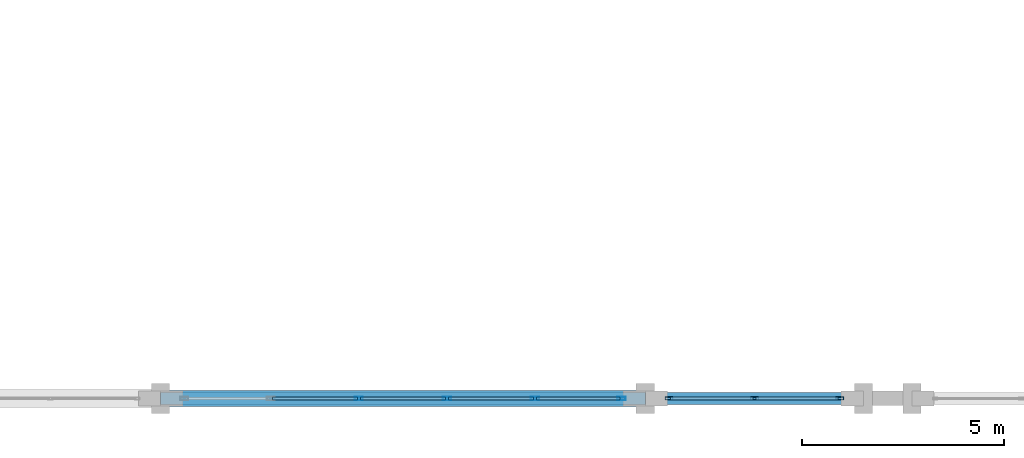
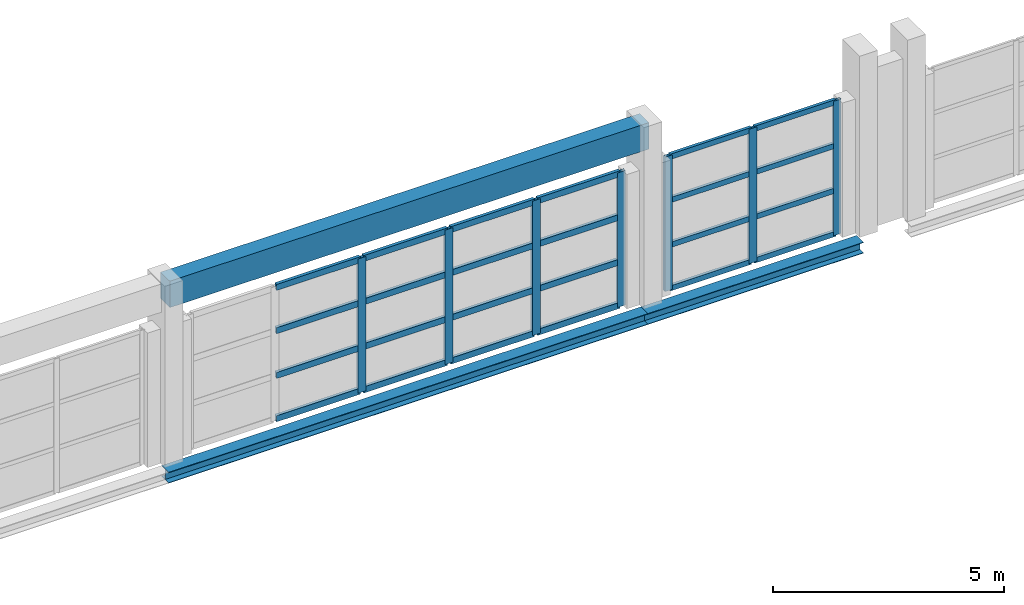
# One storey, part 49 of 147: 31 members, 3 beams, 2 elements without a shape of their own.
"""IFC4 building model written with IfcOpenShell, lengths in metres."""

from ifc_helpers import new_model, si_unit, direction, frame, origin, origin_2d, place, context, subcontext, project, spatial, rectangle, hollow_rectangle, i_section, extrude, material, layer, layer_set, material_profile, profile_set, type_object, element, aggregate, save


model = new_model("IFC4")

# Units and contexts
model_context = context("Model", 3, precision=1e-05, world=origin(), true_north=direction((0.0, 1.0)))
body_context = subcontext(model_context, "Body", "Model", "MODEL_VIEW")
ifc_project = project(units=[si_unit("LENGTHUNIT", "METRE"), si_unit("AREAUNIT", "SQUARE_METRE"), si_unit("VOLUMEUNIT", "CUBIC_METRE"), si_unit("PLANEANGLEUNIT", "RADIAN"), si_unit("MASSUNIT", "GRAM", prefix="KILO")], contexts=[model_context])

# Site, building, storey
site_placement = place(None, origin())
site = spatial("IfcSite", under=ifc_project, at=site_placement, CompositionType="ELEMENT")
building_placement = place(site_placement, origin())
building = spatial("IfcBuilding", under=site, at=building_placement, Name="Zilviju Railside Exhibition Hall", CompositionType="ELEMENT")
storey_placement = place(building_placement, frame((0.0, 0.0, 8.39990234375)))
storey = spatial("IfcBuildingStorey", under=building, at=storey_placement, Name="L03", CompositionType="ELEMENT", Elevation=8.39990234375)

# Beams
ifc_material_1 = material(Name="Steel S355J2", Category="steel")
ifc_material_profile_1 = material_profile(ifc_material_1, i_section(OverallWidth=0.300048828125, OverallDepth=0.2900390625, WebThickness=0.008544921875, FlangeThickness=0.013916015625, at=origin_2d()), Name="HEA 300")
ifc_profile_set_1 = profile_set([ifc_material_profile_1], Name="Steel S355J2")
beam_type_1 = type_object("IfcBeamType", Name="BM-HEA300", PredefinedType="SPANDREL", material=ifc_profile_set_1)
beam_1_placement = place(storey_placement, frame((108.0, 0.0, -0.48486328125), z_axis=(1.0, 0.0, 0.0), x_axis=(0.0, 1.0, 0.0)))
element("IfcBeam", 1, at=beam_1_placement, inside=storey, type_object=beam_type_1, Name="Primary Girder L03 Y=0.0 (108.0..120.0)", PredefinedType="SPANDREL", context=body_context, shape_type="SweptSolid", body=[
    extrude(i_section(OverallWidth=0.300048828125, OverallDepth=0.2900390625, WebThickness=0.008544921875, FlangeThickness=0.013916015625, at=origin_2d()), origin(), (0.0, 0.0, 1.0), 12.0),
])
beam_2_placement = place(storey_placement, frame((120.0, 0.0, -0.48486328125), z_axis=(1.0, 0.0, 0.0), x_axis=(0.0, 1.0, 0.0)))
element("IfcBeam", 2, at=beam_2_placement, inside=storey, type_object=beam_type_1, Name="Primary Girder L03 Y=0.0 (120.0..125.4)", PredefinedType="SPANDREL", context=body_context, shape_type="SweptSolid", body=[
    extrude(i_section(OverallWidth=0.300048828125, OverallDepth=0.2900390625, WebThickness=0.008544921875, FlangeThickness=0.013916015625, at=origin_2d()), origin(), (0.0, 0.0, 1.0), 5.39990234375),
])
ifc_material_2 = material(Name="Concrete C40/50", Category="concrete")
ifc_material_profile_2 = material_profile(ifc_material_2, rectangle(XDim=0.39990234375, YDim=0.699951171875, at=origin_2d()), Name="RC BEAM 400x700")
ifc_profile_set_2 = profile_set([ifc_material_profile_2], Name="Concrete C40/50")
beam_type_2 = type_object("IfcBeamType", Name="BM-RC-400x700", PredefinedType="SPANDREL", material=ifc_profile_set_2)
beam_3_placement = place(storey_placement, frame((108.0, 0.0, 4.400146484375), z_axis=(1.0, 0.0, 0.0), x_axis=(0.0, 1.0, 0.0)))
element("IfcBeam", 3, at=beam_3_placement, inside=storey, type_object=beam_type_2, Name="Eave & Portal Spandrel Lintel 005", PredefinedType="SPANDREL", context=body_context, shape_type="SweptSolid", body=[
    extrude(rectangle(XDim=0.39990234375, YDim=0.699951171875, at=origin_2d()), origin(), (0.0, 0.0, 1.0), 12.0),
])

# Curtain wall, members
ifc_material_3 = material(Name="Thermally broken aluminium-steel triple-glazed curtain wall", Category="steel")
ifc_layer_1 = layer(ifc_material_3, 0.179931640625)
ifc_layer_set_1 = layer_set([ifc_layer_1], Name="Thermally broken aluminium-steel triple-glazed curtain wall")
curtain_wall_type_1 = type_object("IfcCurtainWallType", Name="CW-BAY-15", PredefinedType="USERDEFINED", material=ifc_layer_set_1)
curtain_wall_1_placement = place(storey_placement, origin())
curtain_wall_1 = element("IfcCurtainWall", 4, at=curtain_wall_1_placement, inside=storey, type_object=curtain_wall_type_1, Name="South Hall Facade Curtain Wall L03 (120..125)", ObjectType="GLAZED CURTAIN WALL", PredefinedType="USERDEFINED")
ifc_material_4 = material(Name="Thermally broken anodized aluminium mullion", Category="aluminium")
ifc_material_profile_3 = material_profile(ifc_material_4, hollow_rectangle(XDim=0.074951171875, YDim=0.18994140625, WallThickness=0.0048828125, at=origin_2d()), Name="MULLION 190x75x5")
ifc_profile_set_3 = profile_set([ifc_material_profile_3], Name="Thermally broken anodized aluminium mullion")
member_type_1 = type_object("IfcMemberType", Name="CWM-75x190", PredefinedType="MULLION", material=ifc_profile_set_3)
member_1_placement = place(storey_placement, frame((124.8125, 0.0, 0.0), z_axis=(0.0, 0.0, 1.0), x_axis=(0.0, -1.0, 0.0)))
member_1 = element("IfcMember", 5, at=member_1_placement, type_object=member_type_1, Name="CW-15 mullion 1", PredefinedType="MULLION", context=body_context, shape_type="SweptSolid", body=[
    extrude(hollow_rectangle(XDim=0.074951171875, YDim=0.18994140625, WallThickness=0.0048828125, at=origin_2d()), origin(), (0.0, 0.0, 1.0), 3.56005859375),
])
member_2_placement = place(storey_placement, frame((122.699951171875, 0.0, 0.0), z_axis=(0.0, 0.0, 1.0), x_axis=(0.0, -1.0, 0.0)))
member_2 = element("IfcMember", 6, at=member_2_placement, type_object=member_type_1, Name="CW-15 mullion 2", PredefinedType="MULLION", context=body_context, shape_type="SweptSolid", body=[
    extrude(hollow_rectangle(XDim=0.074951171875, YDim=0.18994140625, WallThickness=0.0048828125, at=origin_2d()), origin(), (0.0, 0.0, 1.0), 3.56005859375),
])
member_3_placement = place(storey_placement, frame((120.58740234375, 0.0, 0.0), z_axis=(0.0, 0.0, 1.0), x_axis=(0.0, -1.0, 0.0)))
member_3 = element("IfcMember", 7, at=member_3_placement, type_object=member_type_1, Name="CW-15 mullion 3", PredefinedType="MULLION", context=body_context, shape_type="SweptSolid", body=[
    extrude(hollow_rectangle(XDim=0.074951171875, YDim=0.18994140625, WallThickness=0.0048828125, at=origin_2d()), origin(), (0.0, 0.0, 1.0), 3.56005859375),
])

ifc_layer_2 = layer(ifc_material_3, 0.179931640625)
ifc_layer_set_2 = layer_set([ifc_layer_2], Name="Thermally broken aluminium-steel triple-glazed curtain wall")
curtain_wall_type_2 = type_object("IfcCurtainWallType", Name="CW-BAY-14", PredefinedType="USERDEFINED", material=ifc_layer_set_2)
curtain_wall_2_placement = place(storey_placement, origin())
curtain_wall_2 = element("IfcCurtainWall", 8, at=curtain_wall_2_placement, inside=storey, type_object=curtain_wall_type_2, Name="South Hall Facade Curtain Wall L03 (108..120)", ObjectType="GLAZED CURTAIN WALL", PredefinedType="USERDEFINED")
ifc_material_profile_4 = material_profile(ifc_material_4, hollow_rectangle(XDim=0.080078125, YDim=0.199951171875, WallThickness=0.0048828125, at=origin_2d()), Name="MULLION 200x80x5")
ifc_profile_set_4 = profile_set([ifc_material_profile_4], Name="Thermally broken anodized aluminium mullion")
member_type_2 = type_object("IfcMemberType", Name="CWM-80x200", PredefinedType="MULLION", material=ifc_profile_set_4)
member_4_placement = place(storey_placement, frame((119.409912109375, 0.0, 0.0), z_axis=(0.0, 0.0, 1.0), x_axis=(0.0, -1.0, 0.0)))
member_4 = element("IfcMember", 9, at=member_4_placement, type_object=member_type_2, Name="CW-14 mullion 1", PredefinedType="MULLION", context=body_context, shape_type="SweptSolid", body=[
    extrude(hollow_rectangle(XDim=0.080078125, YDim=0.199951171875, WallThickness=0.0048828125, at=origin_2d()), origin(), (0.0, 0.0, 1.0), 3.56005859375),
])
member_5_placement = place(storey_placement, frame((117.27001953125, 0.0, 0.0), z_axis=(0.0, 0.0, 1.0), x_axis=(0.0, -1.0, 0.0)))
member_5 = element("IfcMember", 10, at=member_5_placement, type_object=member_type_2, Name="CW-14 mullion 2", PredefinedType="MULLION", context=body_context, shape_type="SweptSolid", body=[
    extrude(hollow_rectangle(XDim=0.080078125, YDim=0.199951171875, WallThickness=0.0048828125, at=origin_2d()), origin(), (0.0, 0.0, 1.0), 3.56005859375),
])
member_6_placement = place(storey_placement, frame((115.090087890625, 0.0, 0.0), z_axis=(0.0, 0.0, 1.0), x_axis=(0.0, -1.0, 0.0)))
member_6 = element("IfcMember", 11, at=member_6_placement, type_object=member_type_2, Name="CW-14 mullion 3", PredefinedType="MULLION", context=body_context, shape_type="SweptSolid", body=[
    extrude(hollow_rectangle(XDim=0.080078125, YDim=0.199951171875, WallThickness=0.0048828125, at=origin_2d()), origin(), (0.0, 0.0, 1.0), 3.56005859375),
])
member_7_placement = place(storey_placement, frame((112.909912109375, 0.0, 0.0), z_axis=(0.0, 0.0, 1.0), x_axis=(0.0, -1.0, 0.0)))
member_7 = element("IfcMember", 12, at=member_7_placement, type_object=member_type_2, Name="CW-14 mullion 4", PredefinedType="MULLION", context=body_context, shape_type="SweptSolid", body=[
    extrude(hollow_rectangle(XDim=0.080078125, YDim=0.199951171875, WallThickness=0.0048828125, at=origin_2d()), origin(), (0.0, 0.0, 1.0), 3.56005859375),
])

# Member
ifc_material_5 = material(Name="Thermally broken anodized aluminium transom", Category="aluminium")
ifc_material_profile_5 = material_profile(ifc_material_5, hollow_rectangle(XDim=0.074951171875, YDim=0.139892578125, WallThickness=0.0048828125, at=origin_2d()), Name="TRANSOM 140x75x5")
ifc_profile_set_5 = profile_set([ifc_material_profile_5], Name="Thermally broken anodized aluminium transom")
member_type_3 = type_object("IfcMemberType", Name="CWT-75x140", PredefinedType="USERDEFINED", material=ifc_profile_set_5)
member_8_placement = place(storey_placement, frame((124.77490234375, 0.0, 0.03759765625), z_axis=(-1.0, 0.0, 0.0), x_axis=(0.0, -1.0, 0.0)))
member_8 = element("IfcMember", 13, at=member_8_placement, type_object=member_type_3, Name="CW-15 transom 1.1", ObjectType="TRANSOM", PredefinedType="USERDEFINED", context=body_context, shape_type="SweptSolid", body=[
    extrude(hollow_rectangle(XDim=0.074951171875, YDim=0.139892578125, WallThickness=0.0048828125, at=origin_2d()), origin(), (0.0, 0.0, 1.0), 2.037353515625),
])

member_9_placement = place(storey_placement, frame((124.77490234375, 0.0, 1.18701171875), z_axis=(-1.0, 0.0, 0.0), x_axis=(0.0, -1.0, 0.0)))
member_9 = element("IfcMember", 14, at=member_9_placement, type_object=member_type_3, Name="CW-15 transom 1.2", ObjectType="TRANSOM", PredefinedType="USERDEFINED", context=body_context, shape_type="SweptSolid", body=[
    extrude(hollow_rectangle(XDim=0.074951171875, YDim=0.139892578125, WallThickness=0.0048828125, at=origin_2d()), origin(), (0.0, 0.0, 1.0), 2.037353515625),
])

member_10_placement = place(storey_placement, frame((124.77490234375, 0.0, 2.373046875), z_axis=(-1.0, 0.0, 0.0), x_axis=(0.0, -1.0, 0.0)))
member_10 = element("IfcMember", 15, at=member_10_placement, type_object=member_type_3, Name="CW-15 transom 1.3", ObjectType="TRANSOM", PredefinedType="USERDEFINED", context=body_context, shape_type="SweptSolid", body=[
    extrude(hollow_rectangle(XDim=0.074951171875, YDim=0.139892578125, WallThickness=0.0048828125, at=origin_2d()), origin(), (0.0, 0.0, 1.0), 2.037353515625),
])

member_11_placement = place(storey_placement, frame((124.77490234375, 0.0, 3.522705078125), z_axis=(-1.0, 0.0, 0.0), x_axis=(0.0, -1.0, 0.0)))
member_11 = element("IfcMember", 16, at=member_11_placement, type_object=member_type_3, Name="CW-15 transom 1.4", ObjectType="TRANSOM", PredefinedType="USERDEFINED", context=body_context, shape_type="SweptSolid", body=[
    extrude(hollow_rectangle(XDim=0.074951171875, YDim=0.139892578125, WallThickness=0.0048828125, at=origin_2d()), origin(), (0.0, 0.0, 1.0), 2.037353515625),
])

member_12_placement = place(storey_placement, frame((122.66259765625, 0.0, 0.03759765625), z_axis=(-1.0, 0.0, 0.0), x_axis=(0.0, -1.0, 0.0)))
member_12 = element("IfcMember", 17, at=member_12_placement, type_object=member_type_3, Name="CW-15 transom 2.1", ObjectType="TRANSOM", PredefinedType="USERDEFINED", context=body_context, shape_type="SweptSolid", body=[
    extrude(hollow_rectangle(XDim=0.074951171875, YDim=0.139892578125, WallThickness=0.0048828125, at=origin_2d()), origin(), (0.0, 0.0, 1.0), 2.03759765625),
])

member_13_placement = place(storey_placement, frame((122.66259765625, 0.0, 1.18701171875), z_axis=(-1.0, 0.0, 0.0), x_axis=(0.0, -1.0, 0.0)))
member_13 = element("IfcMember", 18, at=member_13_placement, type_object=member_type_3, Name="CW-15 transom 2.2", ObjectType="TRANSOM", PredefinedType="USERDEFINED", context=body_context, shape_type="SweptSolid", body=[
    extrude(hollow_rectangle(XDim=0.074951171875, YDim=0.139892578125, WallThickness=0.0048828125, at=origin_2d()), origin(), (0.0, 0.0, 1.0), 2.03759765625),
])

member_14_placement = place(storey_placement, frame((122.66259765625, 0.0, 2.373046875), z_axis=(-1.0, 0.0, 0.0), x_axis=(0.0, -1.0, 0.0)))
member_14 = element("IfcMember", 19, at=member_14_placement, type_object=member_type_3, Name="CW-15 transom 2.3", ObjectType="TRANSOM", PredefinedType="USERDEFINED", context=body_context, shape_type="SweptSolid", body=[
    extrude(hollow_rectangle(XDim=0.074951171875, YDim=0.139892578125, WallThickness=0.0048828125, at=origin_2d()), origin(), (0.0, 0.0, 1.0), 2.03759765625),
])

member_15_placement = place(storey_placement, frame((122.66259765625, 0.0, 3.522705078125), z_axis=(-1.0, 0.0, 0.0), x_axis=(0.0, -1.0, 0.0)))
member_15 = element("IfcMember", 20, at=member_15_placement, type_object=member_type_3, Name="CW-15 transom 2.4", ObjectType="TRANSOM", PredefinedType="USERDEFINED", context=body_context, shape_type="SweptSolid", body=[
    extrude(hollow_rectangle(XDim=0.074951171875, YDim=0.139892578125, WallThickness=0.0048828125, at=origin_2d()), origin(), (0.0, 0.0, 1.0), 2.03759765625),
])

aggregate(curtain_wall_1, [member_1, member_2, member_3, member_8, member_9, member_10, member_11, member_12, member_13, member_14, member_15])

ifc_material_profile_6 = material_profile(ifc_material_5, hollow_rectangle(XDim=0.080078125, YDim=0.159912109375, WallThickness=0.0048828125, at=origin_2d()), Name="TRANSOM 160x80x5")
ifc_profile_set_6 = profile_set([ifc_material_profile_6], Name="Thermally broken anodized aluminium transom")
member_type_4 = type_object("IfcMemberType", Name="CWT-80x160", PredefinedType="USERDEFINED", material=ifc_profile_set_6)
member_16_placement = place(storey_placement, frame((119.3701171875, 0.0, 0.0400390625), z_axis=(-1.0, 0.0, 0.0), x_axis=(0.0, -1.0, 0.0)))
member_16 = element("IfcMember", 21, at=member_16_placement, type_object=member_type_4, Name="CW-14 transom 1.1", ObjectType="TRANSOM", PredefinedType="USERDEFINED", context=body_context, shape_type="SweptSolid", body=[
    extrude(hollow_rectangle(XDim=0.080078125, YDim=0.159912109375, WallThickness=0.0048828125, at=origin_2d()), origin(), (0.0, 0.0, 1.0), 2.06005859375),
])

member_17_placement = place(storey_placement, frame((119.3701171875, 0.0, 1.18701171875), z_axis=(-1.0, 0.0, 0.0), x_axis=(0.0, -1.0, 0.0)))
member_17 = element("IfcMember", 22, at=member_17_placement, type_object=member_type_4, Name="CW-14 transom 1.2", ObjectType="TRANSOM", PredefinedType="USERDEFINED", context=body_context, shape_type="SweptSolid", body=[
    extrude(hollow_rectangle(XDim=0.080078125, YDim=0.159912109375, WallThickness=0.0048828125, at=origin_2d()), origin(), (0.0, 0.0, 1.0), 2.06005859375),
])

member_18_placement = place(storey_placement, frame((119.3701171875, 0.0, 2.373046875), z_axis=(-1.0, 0.0, 0.0), x_axis=(0.0, -1.0, 0.0)))
member_18 = element("IfcMember", 23, at=member_18_placement, type_object=member_type_4, Name="CW-14 transom 1.3", ObjectType="TRANSOM", PredefinedType="USERDEFINED", context=body_context, shape_type="SweptSolid", body=[
    extrude(hollow_rectangle(XDim=0.080078125, YDim=0.159912109375, WallThickness=0.0048828125, at=origin_2d()), origin(), (0.0, 0.0, 1.0), 2.06005859375),
])

member_19_placement = place(storey_placement, frame((119.3701171875, 0.0, 3.52001953125), z_axis=(-1.0, 0.0, 0.0), x_axis=(0.0, -1.0, 0.0)))
member_19 = element("IfcMember", 24, at=member_19_placement, type_object=member_type_4, Name="CW-14 transom 1.4", ObjectType="TRANSOM", PredefinedType="USERDEFINED", context=body_context, shape_type="SweptSolid", body=[
    extrude(hollow_rectangle(XDim=0.080078125, YDim=0.159912109375, WallThickness=0.0048828125, at=origin_2d()), origin(), (0.0, 0.0, 1.0), 2.06005859375),
])

member_20_placement = place(storey_placement, frame((117.22998046875, 0.0, 0.0400390625), z_axis=(-1.0, 0.0, 0.0), x_axis=(0.0, -1.0, 0.0)))
member_20 = element("IfcMember", 25, at=member_20_placement, type_object=member_type_4, Name="CW-14 transom 2.1", ObjectType="TRANSOM", PredefinedType="USERDEFINED", context=body_context, shape_type="SweptSolid", body=[
    extrude(hollow_rectangle(XDim=0.080078125, YDim=0.159912109375, WallThickness=0.0048828125, at=origin_2d()), origin(), (0.0, 0.0, 1.0), 2.10009765625),
])

member_21_placement = place(storey_placement, frame((117.22998046875, 0.0, 1.18701171875), z_axis=(-1.0, 0.0, 0.0), x_axis=(0.0, -1.0, 0.0)))
member_21 = element("IfcMember", 26, at=member_21_placement, type_object=member_type_4, Name="CW-14 transom 2.2", ObjectType="TRANSOM", PredefinedType="USERDEFINED", context=body_context, shape_type="SweptSolid", body=[
    extrude(hollow_rectangle(XDim=0.080078125, YDim=0.159912109375, WallThickness=0.0048828125, at=origin_2d()), origin(), (0.0, 0.0, 1.0), 2.10009765625),
])

member_22_placement = place(storey_placement, frame((117.22998046875, 0.0, 2.373046875), z_axis=(-1.0, 0.0, 0.0), x_axis=(0.0, -1.0, 0.0)))
member_22 = element("IfcMember", 27, at=member_22_placement, type_object=member_type_4, Name="CW-14 transom 2.3", ObjectType="TRANSOM", PredefinedType="USERDEFINED", context=body_context, shape_type="SweptSolid", body=[
    extrude(hollow_rectangle(XDim=0.080078125, YDim=0.159912109375, WallThickness=0.0048828125, at=origin_2d()), origin(), (0.0, 0.0, 1.0), 2.10009765625),
])

member_23_placement = place(storey_placement, frame((117.22998046875, 0.0, 3.52001953125), z_axis=(-1.0, 0.0, 0.0), x_axis=(0.0, -1.0, 0.0)))
member_23 = element("IfcMember", 28, at=member_23_placement, type_object=member_type_4, Name="CW-14 transom 2.4", ObjectType="TRANSOM", PredefinedType="USERDEFINED", context=body_context, shape_type="SweptSolid", body=[
    extrude(hollow_rectangle(XDim=0.080078125, YDim=0.159912109375, WallThickness=0.0048828125, at=origin_2d()), origin(), (0.0, 0.0, 1.0), 2.10009765625),
])

member_24_placement = place(storey_placement, frame((115.050048828125, 0.0, 0.0400390625), z_axis=(-1.0, 0.0, 0.0), x_axis=(0.0, -1.0, 0.0)))
member_24 = element("IfcMember", 29, at=member_24_placement, type_object=member_type_4, Name="CW-14 transom 3.1", ObjectType="TRANSOM", PredefinedType="USERDEFINED", context=body_context, shape_type="SweptSolid", body=[
    extrude(hollow_rectangle(XDim=0.080078125, YDim=0.159912109375, WallThickness=0.0048828125, at=origin_2d()), origin(), (0.0, 0.0, 1.0), 2.10009765625),
])

member_25_placement = place(storey_placement, frame((115.050048828125, 0.0, 1.18701171875), z_axis=(-1.0, 0.0, 0.0), x_axis=(0.0, -1.0, 0.0)))
member_25 = element("IfcMember", 30, at=member_25_placement, type_object=member_type_4, Name="CW-14 transom 3.2", ObjectType="TRANSOM", PredefinedType="USERDEFINED", context=body_context, shape_type="SweptSolid", body=[
    extrude(hollow_rectangle(XDim=0.080078125, YDim=0.159912109375, WallThickness=0.0048828125, at=origin_2d()), origin(), (0.0, 0.0, 1.0), 2.10009765625),
])

member_26_placement = place(storey_placement, frame((115.050048828125, 0.0, 2.373046875), z_axis=(-1.0, 0.0, 0.0), x_axis=(0.0, -1.0, 0.0)))
member_26 = element("IfcMember", 31, at=member_26_placement, type_object=member_type_4, Name="CW-14 transom 3.3", ObjectType="TRANSOM", PredefinedType="USERDEFINED", context=body_context, shape_type="SweptSolid", body=[
    extrude(hollow_rectangle(XDim=0.080078125, YDim=0.159912109375, WallThickness=0.0048828125, at=origin_2d()), origin(), (0.0, 0.0, 1.0), 2.10009765625),
])

member_27_placement = place(storey_placement, frame((115.050048828125, 0.0, 3.52001953125), z_axis=(-1.0, 0.0, 0.0), x_axis=(0.0, -1.0, 0.0)))
member_27 = element("IfcMember", 32, at=member_27_placement, type_object=member_type_4, Name="CW-14 transom 3.4", ObjectType="TRANSOM", PredefinedType="USERDEFINED", context=body_context, shape_type="SweptSolid", body=[
    extrude(hollow_rectangle(XDim=0.080078125, YDim=0.159912109375, WallThickness=0.0048828125, at=origin_2d()), origin(), (0.0, 0.0, 1.0), 2.10009765625),
])

member_28_placement = place(storey_placement, frame((112.8701171875, 0.0, 0.0400390625), z_axis=(-1.0, 0.0, 0.0), x_axis=(0.0, -1.0, 0.0)))
member_28 = element("IfcMember", 33, at=member_28_placement, type_object=member_type_4, Name="CW-14 transom 4.1", ObjectType="TRANSOM", PredefinedType="USERDEFINED", context=body_context, shape_type="SweptSolid", body=[
    extrude(hollow_rectangle(XDim=0.080078125, YDim=0.159912109375, WallThickness=0.0048828125, at=origin_2d()), origin(), (0.0, 0.0, 1.0), 2.10009765625),
])

member_29_placement = place(storey_placement, frame((112.8701171875, 0.0, 1.18701171875), z_axis=(-1.0, 0.0, 0.0), x_axis=(0.0, -1.0, 0.0)))
member_29 = element("IfcMember", 34, at=member_29_placement, type_object=member_type_4, Name="CW-14 transom 4.2", ObjectType="TRANSOM", PredefinedType="USERDEFINED", context=body_context, shape_type="SweptSolid", body=[
    extrude(hollow_rectangle(XDim=0.080078125, YDim=0.159912109375, WallThickness=0.0048828125, at=origin_2d()), origin(), (0.0, 0.0, 1.0), 2.10009765625),
])

member_30_placement = place(storey_placement, frame((112.8701171875, 0.0, 2.373046875), z_axis=(-1.0, 0.0, 0.0), x_axis=(0.0, -1.0, 0.0)))
member_30 = element("IfcMember", 35, at=member_30_placement, type_object=member_type_4, Name="CW-14 transom 4.3", ObjectType="TRANSOM", PredefinedType="USERDEFINED", context=body_context, shape_type="SweptSolid", body=[
    extrude(hollow_rectangle(XDim=0.080078125, YDim=0.159912109375, WallThickness=0.0048828125, at=origin_2d()), origin(), (0.0, 0.0, 1.0), 2.10009765625),
])

member_31_placement = place(storey_placement, frame((112.8701171875, 0.0, 3.52001953125), z_axis=(-1.0, 0.0, 0.0), x_axis=(0.0, -1.0, 0.0)))
member_31 = element("IfcMember", 36, at=member_31_placement, type_object=member_type_4, Name="CW-14 transom 4.4", ObjectType="TRANSOM", PredefinedType="USERDEFINED", context=body_context, shape_type="SweptSolid", body=[
    extrude(hollow_rectangle(XDim=0.080078125, YDim=0.159912109375, WallThickness=0.0048828125, at=origin_2d()), origin(), (0.0, 0.0, 1.0), 2.10009765625),
])

aggregate(curtain_wall_2, [member_4, member_5, member_6, member_7, member_16, member_17, member_18, member_19, member_20, member_21, member_22, member_23, member_24, member_25, member_26, member_27, member_28, member_29, member_30, member_31])

save(model, "model.ifc")
